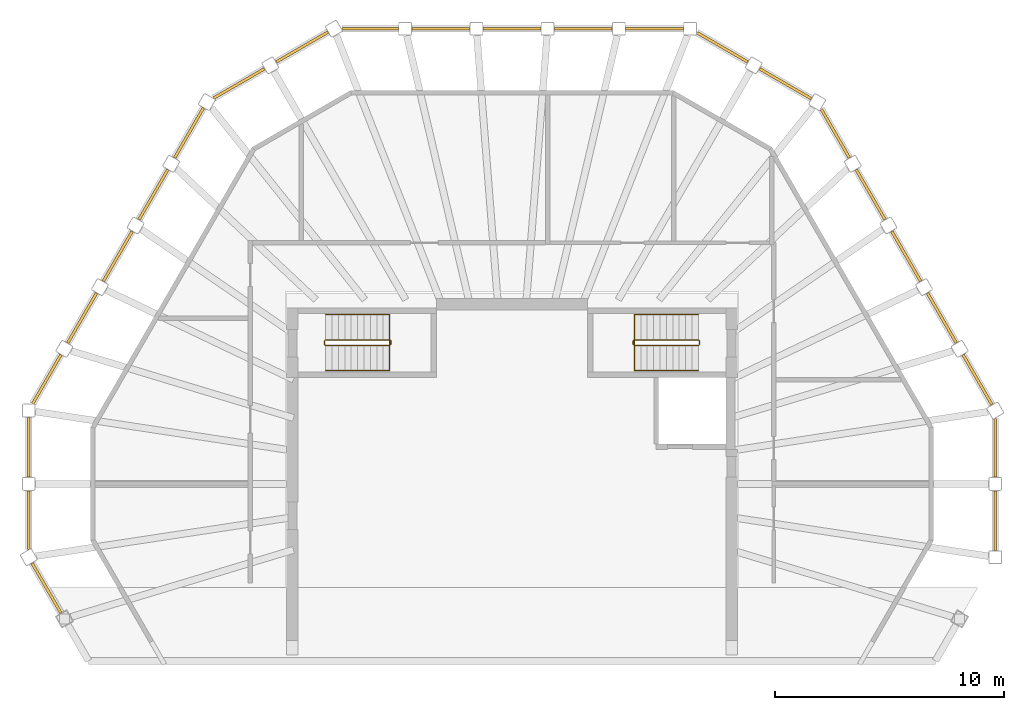
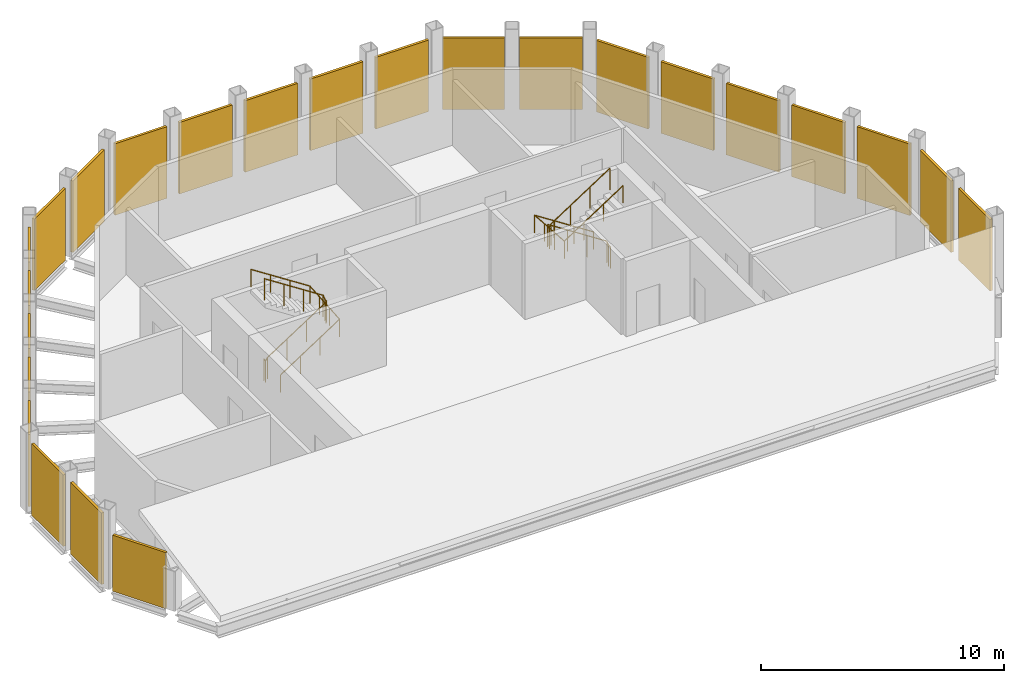
# One storey, part 4 of 4: 24 coverings, 4 railings.
"""IFC4 building model written with IfcOpenShell, lengths in metres."""

from ifc_helpers import new_model, si_unit, direction, frame, origin, origin_2d, place, context, subcontext, project, spatial, polyline, circle, outline, extrude, material, layer, layer_set, type_object, element, save


model = new_model("IFC4")

# Units and contexts
model_context = context("Model", 3, precision=1e-05, world=origin(), true_north=direction((0.0, 1.0)))
body_context = subcontext(model_context, "Body", "Model", "MODEL_VIEW")
ifc_project = project(units=[si_unit("LENGTHUNIT", "METRE"), si_unit("AREAUNIT", "SQUARE_METRE"), si_unit("VOLUMEUNIT", "CUBIC_METRE"), si_unit("PLANEANGLEUNIT", "RADIAN"), si_unit("MASSUNIT", "GRAM", prefix="KILO")], contexts=[model_context])

# Site, building, storey
site_placement = place(None, origin())
site = spatial("IfcSite", under=ifc_project, at=site_placement, CompositionType="ELEMENT")
building_placement = place(site_placement, origin())
building = spatial("IfcBuilding", under=site, at=building_placement, Name="Frailejon Research Tower", CompositionType="ELEMENT")
storey_placement = place(building_placement, frame((0.0, 0.0, 360.60009765625)))
storey = spatial("IfcBuildingStorey", under=building, at=storey_placement, Name="L81", CompositionType="ELEMENT", Elevation=360.60009765625)

# Coverings
ifc_material_1 = material(Name="Anodised aluminium louvres", Category="aluminium")
ifc_layer = layer(ifc_material_1, 0.1201171875)
ifc_layer_set = layer_set([ifc_layer], Name="Crown louvre screen 120")
covering_type = type_object("IfcCoveringType", Name="Crown louvre screen 120", PredefinedType="CLADDING", material=ifc_layer_set)
covering_1_placement = place(storey_placement, frame((21.12744140625, -0.300048828125, -0.2001953125), z_axis=(0.0, -1.0, 0.0), x_axis=(1.0, 0.0, 0.0)))
element("IfcCovering", 1, at=covering_1_placement, inside=storey, type_object=covering_type, Name="Crown louvre screen L81", PredefinedType="CLADDING", context=body_context, shape_type="SweptSolid", body=[
    extrude(outline(polyline([(-0.06005859375, 0.0), (0.06005859375, 0.0), (0.06005859375, 3.60009765625), (-0.06005859375, 3.60009765625), (-0.06005859375, 0.0)])), origin(), (0.0, 0.0, 1.0), 2.606201171875),
])
covering_2_placement = place(storey_placement, frame((21.12744140625, 2.859619140625, -0.2001953125), z_axis=(0.0, -1.0, 0.0), x_axis=(1.0, 0.0, 0.0)))
element("IfcCovering", 2, at=covering_2_placement, inside=storey, type_object=covering_type, Name="Crown louvre screen L81", PredefinedType="CLADDING", context=body_context, shape_type="SweptSolid", body=[
    extrude(outline(polyline([(-0.06005859375, 0.0), (0.06005859375, 0.0), (0.06005859375, 3.60009765625), (-0.06005859375, 3.60009765625), (-0.06005859375, 0.0)])), origin(), (0.0, 0.0, 1.0), 2.559814453125),
])
for number, where, z_axis, x_axis, name in (
    (3, (19.72021484375, 5.643798828125, -0.2001953125), (0.499996674019, -0.866027324032, 0.0), (0.866027324032, 0.499996674019, 0.0), "Crown louvre screen L81"),
    (4, (18.16259765625, 8.34130859375, -0.2001953125), (0.500009278777, -0.866020046614, 0.0), (0.866020046614, 0.500009278777, 0.0), "Crown louvre screen L81"),
    (5, (16.605224609375, 11.0390625, -0.2001953125), (0.499979456235, -0.866037264408, 0.0), (0.866037264408, 0.499979456235, 0.0), "Crown louvre screen L81"),
    (6, (15.047607421875, 13.736572265625, -0.2001953125), (0.500009278777, -0.866020046614, 0.0), (0.866020046614, 0.500009278777, 0.0), "Crown louvre screen L81"),
):
    element("IfcCovering", number, at=place(storey_placement, frame(where, z_axis=z_axis, x_axis=x_axis)), inside=storey, type_object=covering_type, Name=name, PredefinedType="CLADDING", context=body_context, shape_type="SweptSolid", body=[
        extrude(outline(polyline([(-0.06005859375, 0.0), (0.06005859375, 0.0), (0.06005859375, 3.60009765625), (-0.06005859375, 3.60009765625), (-0.06005859375, 0.0)])), origin(), (0.0, 0.0, 1.0), 2.514892578125),
    ])
covering_3_placement = place(storey_placement, frame((13.513427734375, 16.393798828125, -0.2001953125), z_axis=(0.499999492034, -0.866025697059, 0.0), x_axis=(0.866025697059, 0.499999492034, 0.0)))
element("IfcCovering", 7, at=covering_3_placement, inside=storey, type_object=covering_type, Name="Crown louvre screen L81", PredefinedType="CLADDING", context=body_context, shape_type="SweptSolid", body=[
    extrude(outline(polyline([(-0.06005859375, 0.0), (0.06005859375, 0.0), (0.06005859375, 3.60009765625), (-0.06005859375, 3.60009765625), (-0.06005859375, 0.0)])), origin(), (0.0, 0.0, 1.0), 2.468505859375),
])
covering_4_placement = place(storey_placement, frame((10.823486328125, 18.14697265625, -0.2001953125), z_axis=(0.866012414126, -0.500022498073, 0.0), x_axis=(0.500022498073, 0.866012414126, 0.0)))
element("IfcCovering", 8, at=covering_4_placement, inside=storey, type_object=covering_type, Name="Crown louvre screen L81", PredefinedType="CLADDING", context=body_context, shape_type="SweptSolid", body=[
    extrude(outline(polyline([(-0.06005859375, 0.0), (0.06005859375, 0.0), (0.06005859375, 3.60009765625), (-0.06005859375, 3.60009765625), (-0.06005859375, 0.0)])), origin(), (0.0, 0.0, 1.0), 2.606201171875),
])
covering_5_placement = place(storey_placement, frame((8.087158203125, 19.726806640625, -0.2001953125), z_axis=(0.866037258145, -0.499979467084, 0.0), x_axis=(0.499979467084, 0.866037258145, 0.0)))
element("IfcCovering", 9, at=covering_5_placement, inside=storey, type_object=covering_type, Name="Crown louvre screen L81", PredefinedType="CLADDING", context=body_context, shape_type="SweptSolid", body=[
    extrude(outline(polyline([(-0.06005859375, 0.0), (0.06005859375, 0.0), (0.06005859375, 3.60009765625), (-0.06005859375, 3.60009765625), (-0.06005859375, 0.0)])), origin(), (0.0, 0.0, 1.0), 2.559814453125),
])
for number, where, z_axis, x_axis, name in (
    (10, (4.972412109375, 19.89990234375, -0.2001953125), (1.0, 0.0, 0.0), (0.0, 1.0, 0.0), "Crown louvre screen L81"),
    (11, (1.857421875, 19.89990234375, -0.2001953125), (1.0, 0.0, 0.0), (0.0, 1.0, 0.0), "Crown louvre screen L81"),
    (12, (-1.25732421875, 19.89990234375, -0.2001953125), (1.0, 0.0, 0.0), (0.0, 1.0, 0.0), "Crown louvre screen L81"),
    (13, (-4.372314453125, 19.89990234375, -0.2001953125), (1.0, 0.0, 0.0), (0.0, 1.0, 0.0), "Crown louvre screen L81"),
):
    element("IfcCovering", number, at=place(storey_placement, frame(where, z_axis=z_axis, x_axis=x_axis)), inside=storey, type_object=covering_type, Name=name, PredefinedType="CLADDING", context=body_context, shape_type="SweptSolid", body=[
        extrude(outline(polyline([(-0.06005859375, 0.0), (0.06005859375, 0.0), (0.06005859375, 3.60009765625), (-0.06005859375, 3.60009765625), (-0.06005859375, 0.0)])), origin(), (0.0, 0.0, 1.0), 2.514892578125),
    ])
covering_6_placement = place(storey_placement, frame((-7.44091796875, 19.89990234375, -0.2001953125), z_axis=(1.0, 0.0, 0.0), x_axis=(0.0, 1.0, 0.0)))
element("IfcCovering", 14, at=covering_6_placement, inside=storey, type_object=covering_type, Name="Crown louvre screen L81", PredefinedType="CLADDING", context=body_context, shape_type="SweptSolid", body=[
    extrude(outline(polyline([(-0.06005859375, 0.0), (0.06005859375, 0.0), (0.06005859375, 3.60009765625), (-0.06005859375, 3.60009765625), (-0.06005859375, 0.0)])), origin(), (0.0, 0.0, 1.0), 2.468505859375),
])
covering_7_placement = place(storey_placement, frame((-10.303955078125, 18.447021484375, -0.2001953125), z_axis=(0.866038622295, 0.49997710417, 0.0), x_axis=(-0.49997710417, 0.866038622295, 0.0)))
element("IfcCovering", 15, at=covering_7_placement, inside=storey, type_object=covering_type, Name="Crown louvre screen L81", PredefinedType="CLADDING", context=body_context, shape_type="SweptSolid", body=[
    extrude(outline(polyline([(-0.06005859375, 0.0), (0.06005859375, 0.0), (0.06005859375, 3.60009765625), (-0.06005859375, 3.60009765625), (-0.06005859375, 0.0)])), origin(), (0.0, 0.0, 1.0), 2.606201171875),
])
covering_8_placement = place(storey_placement, frame((-13.040283203125, 16.8671875, -0.2001953125), z_axis=(0.866010574459, 0.500025684265, 0.0), x_axis=(-0.500025684265, 0.866010574459, 0.0)))
element("IfcCovering", 16, at=covering_8_placement, inside=storey, type_object=covering_type, Name="Crown louvre screen L81", PredefinedType="CLADDING", context=body_context, shape_type="SweptSolid", body=[
    extrude(outline(polyline([(-0.06005859375, 0.0), (0.06005859375, 0.0), (0.06005859375, 3.60009765625), (-0.06005859375, 3.60009765625), (-0.06005859375, 0.0)])), origin(), (0.0, 0.0, 1.0), 2.559814453125),
])
for number, where, z_axis, x_axis, name in (
    (17, (-14.747802734375, 14.256103515625, -0.2001953125), (0.499996674019, 0.866027324032, 0.0), (-0.866027324032, 0.499996674019, 0.0), "Crown louvre screen L81"),
    (18, (-16.30517578125, 11.55859375, -0.2001953125), (0.500009278777, 0.866020046614, 0.0), (-0.866020046614, 0.500009278777, 0.0), "Crown louvre screen L81"),
    (19, (-17.862548828125, 8.861083984375, -0.2001953125), (0.499979456235, 0.866037264408, 0.0), (-0.866037264408, 0.499979456235, 0.0), "Crown louvre screen L81"),
    (20, (-19.420166015625, 6.163330078125, -0.2001953125), (0.500009278777, 0.866020046614, 0.0), (-0.866020046614, 0.500009278777, 0.0), "Crown louvre screen L81"),
):
    element("IfcCovering", number, at=place(storey_placement, frame(where, z_axis=z_axis, x_axis=x_axis)), inside=storey, type_object=covering_type, Name=name, PredefinedType="CLADDING", context=body_context, shape_type="SweptSolid", body=[
        extrude(outline(polyline([(-0.06005859375, 0.0), (0.06005859375, 0.0), (0.06005859375, 3.60009765625), (-0.06005859375, 3.60009765625), (-0.06005859375, 0.0)])), origin(), (0.0, 0.0, 1.0), 2.514892578125),
    ])
covering_9_placement = place(storey_placement, frame((-20.954345703125, 3.506103515625, -0.2001953125), z_axis=(0.499999492034, 0.866025697059, 0.0), x_axis=(-0.866025697059, 0.499999492034, 0.0)))
element("IfcCovering", 21, at=covering_9_placement, inside=storey, type_object=covering_type, Name="Crown louvre screen L81", PredefinedType="CLADDING", context=body_context, shape_type="SweptSolid", body=[
    extrude(outline(polyline([(-0.06005859375, 0.0), (0.06005859375, 0.0), (0.06005859375, 3.60009765625), (-0.06005859375, 3.60009765625), (-0.06005859375, 0.0)])), origin(), (0.0, 0.0, 1.0), 2.468505859375),
])
covering_10_placement = place(storey_placement, frame((-21.12744140625, 0.300048828125, -0.2001953125), z_axis=(0.0, 1.0, 0.0), x_axis=(-1.0, 0.0, 0.0)))
element("IfcCovering", 22, at=covering_10_placement, inside=storey, type_object=covering_type, Name="Crown louvre screen L81", PredefinedType="CLADDING", context=body_context, shape_type="SweptSolid", body=[
    extrude(outline(polyline([(-0.06005859375, 0.0), (0.06005859375, 0.0), (0.06005859375, 3.60009765625), (-0.06005859375, 3.60009765625), (-0.06005859375, 0.0)])), origin(), (0.0, 0.0, 1.0), 2.606201171875),
])
covering_11_placement = place(storey_placement, frame((-21.12744140625, -2.859619140625, -0.2001953125), z_axis=(0.0, 1.0, 0.0), x_axis=(-1.0, 0.0, 0.0)))
element("IfcCovering", 23, at=covering_11_placement, inside=storey, type_object=covering_type, Name="Crown louvre screen L81", PredefinedType="CLADDING", context=body_context, shape_type="SweptSolid", body=[
    extrude(outline(polyline([(-0.06005859375, 0.0), (0.06005859375, 0.0), (0.06005859375, 3.60009765625), (-0.06005859375, 3.60009765625), (-0.06005859375, 0.0)])), origin(), (0.0, 0.0, 1.0), 2.559814453125),
])
covering_12_placement = place(storey_placement, frame((-19.72021484375, -5.643798828125, -0.2001953125), z_axis=(-0.499996674019, 0.866027324032, 0.0), x_axis=(-0.866027324032, -0.499996674019, 0.0)))
element("IfcCovering", 24, at=covering_12_placement, inside=storey, type_object=covering_type, Name="Crown louvre screen L81", PredefinedType="CLADDING", context=body_context, shape_type="SweptSolid", body=[
    extrude(outline(polyline([(-0.06005859375, 0.0), (0.06005859375, 0.0), (0.06005859375, 2.822998046875), (-0.06005859375, 2.822998046875), (-0.06005859375, 0.0)])), origin(), (0.0, 0.0, 1.0), 2.514892578125),
])

# Railings
ifc_material_2 = material(Name="Stainless steel", Category="steel")
railing_type_1 = type_object("IfcRailingType", Name="Stair guard 1100", PredefinedType="GUARDRAIL", material=ifc_material_2)
railing_1_placement = place(storey_placement, frame((-8.199951171875, 6.25, 0.0)))
element("IfcRailing", 25, at=railing_1_placement, inside=storey, type_object=railing_type_1, Name="L81 ST1 stair guard 1", PredefinedType="GUARDRAIL", context=body_context, shape_type="SweptSolid", body=[
    extrude(circle(Radius=0.02392578125, at=origin_2d()), frame((0.0, 0.0, 1.076171875), z_axis=(0.0, -1.0, 0.0), x_axis=(1.0, 0.0, 0.0)), (0.0, 0.0, 1.0), 0.14990234375),
    extrude(circle(Radius=0.02392578125, at=origin_2d()), frame((0.0, -0.14990234375, 1.076171875), z_axis=(0.256734642926, -0.256734642926, 0.931758899203), x_axis=(0.707106781187, 0.707106781187, 0.0)), (0.0, 0.0, 1.0), 0.19482421875),
    extrude(circle(Radius=0.02392578125, at=origin_2d()), frame((0.050048828125, -0.199951171875, 1.2578125), z_axis=(0.838650734948, 0.0, 0.544669573936), x_axis=(0.0, 1.0, 0.0)), (0.0, 0.0, 1.0), 3.33837890625),
    extrude(circle(Radius=0.02392578125, at=origin_2d()), frame((2.849853515625, -0.199951171875, 3.076171875), z_axis=(0.707106781187, 0.707106781187, 0.0), x_axis=(-0.707106781187, 0.707106781187, 0.0)), (0.0, 0.0, 1.0), 0.07080078125),
    extrude(circle(Radius=0.02392578125, at=origin_2d()), frame((2.89990234375, -0.14990234375, 3.076171875), z_axis=(0.0, 1.0, 0.0), x_axis=(-1.0, 0.0, 0.0)), (0.0, 0.0, 1.0), 0.14990234375),
    extrude(circle(Radius=0.02392578125, at=origin_2d()), frame((2.89990234375, 0.0, 3.076171875), z_axis=(-0.256734642926, 0.256734642926, 0.931758899203), x_axis=(-0.707106781187, -0.707106781187, 0.0)), (0.0, 0.0, 1.0), 0.19482421875),
    extrude(circle(Radius=0.02392578125, at=origin_2d()), frame((2.849853515625, 0.050048828125, 3.2578125), z_axis=(-0.838650734948, 0.0, 0.544669573936), x_axis=(0.0, -1.0, 0.0)), (0.0, 0.0, 1.0), 3.33837890625),
    extrude(circle(Radius=0.02099609375, at=origin_2d()), origin(), (0.0, 0.0, 1.0), 1.052001953125),
    extrude(circle(Radius=0.02099609375, at=origin_2d()), frame((0.0, -0.14990234375, 0.0)), (0.0, 0.0, 1.0), 1.052001953125),
    extrude(circle(Radius=0.02099609375, at=origin_2d()), frame((0.050048828125, -0.199951171875, 0.181640625)), (0.0, 0.0, 1.0), 1.052001953125),
    extrude(circle(Radius=0.02099609375, at=origin_2d()), frame((0.9833984375, -0.199951171875, 0.787841796875)), (0.0, 0.0, 1.0), 1.052001953125),
    extrude(circle(Radius=0.02099609375, at=origin_2d()), frame((1.91650390625, -0.199951171875, 1.393798828125)), (0.0, 0.0, 1.0), 1.052001953125),
    extrude(circle(Radius=0.02099609375, at=origin_2d()), frame((2.849853515625, -0.199951171875, 2.0)), (0.0, 0.0, 1.0), 1.052001953125),
    extrude(circle(Radius=0.02099609375, at=origin_2d()), frame((2.89990234375, -0.14990234375, 2.0)), (0.0, 0.0, 1.0), 1.052001953125),
    extrude(circle(Radius=0.02099609375, at=origin_2d()), frame((2.89990234375, 0.0, 2.0)), (0.0, 0.0, 1.0), 1.052001953125),
    extrude(circle(Radius=0.02099609375, at=origin_2d()), frame((2.849853515625, 0.050048828125, 2.181640625)), (0.0, 0.0, 1.0), 1.052001953125),
    extrude(circle(Radius=0.02099609375, at=origin_2d()), frame((1.91650390625, 0.050048828125, 2.787841796875)), (0.0, 0.0, 1.0), 1.052001953125),
    extrude(circle(Radius=0.02099609375, at=origin_2d()), frame((0.9833984375, 0.050048828125, 3.393798828125)), (0.0, 0.0, 1.0), 1.052001953125),
    extrude(circle(Radius=0.02099609375, at=origin_2d()), frame((0.050048828125, 0.050048828125, 4.0)), (0.0, 0.0, 1.0), 1.052001953125),
])
railing_2_placement = place(storey_placement, frame((8.199951171875, 6.10009765625, 0.0)))
element("IfcRailing", 26, at=railing_2_placement, inside=storey, type_object=railing_type_1, Name="L81 ST3 stair guard 1", PredefinedType="GUARDRAIL", context=body_context, shape_type="SweptSolid", body=[
    extrude(circle(Radius=0.02392578125, at=origin_2d()), frame((0.0, 0.0, 1.076171875), z_axis=(0.0, 1.0, 0.0), x_axis=(-1.0, 0.0, 0.0)), (0.0, 0.0, 1.0), 0.14990234375),
    extrude(circle(Radius=0.02392578125, at=origin_2d()), frame((0.0, 0.14990234375, 1.076171875), z_axis=(-0.256734642926, 0.256734642926, 0.931758899203), x_axis=(-0.707106781187, -0.707106781187, 0.0)), (0.0, 0.0, 1.0), 0.19482421875),
    extrude(circle(Radius=0.02392578125, at=origin_2d()), frame((-0.050048828125, 0.199951171875, 1.2578125), z_axis=(-0.838650734948, 0.0, 0.544669573936), x_axis=(0.0, -1.0, 0.0)), (0.0, 0.0, 1.0), 3.33837890625),
    extrude(circle(Radius=0.02392578125, at=origin_2d()), frame((-2.849853515625, 0.199951171875, 3.076171875), z_axis=(-0.707106781187, -0.707106781187, 0.0), x_axis=(0.707106781187, -0.707106781187, 0.0)), (0.0, 0.0, 1.0), 0.07080078125),
    extrude(circle(Radius=0.02392578125, at=origin_2d()), frame((-2.89990234375, 0.14990234375, 3.076171875), z_axis=(0.0, -1.0, 0.0), x_axis=(1.0, 0.0, 0.0)), (0.0, 0.0, 1.0), 0.14990234375),
    extrude(circle(Radius=0.02392578125, at=origin_2d()), frame((-2.89990234375, 0.0, 3.076171875), z_axis=(0.256734642926, -0.256734642926, 0.931758899203), x_axis=(0.707106781187, 0.707106781187, 0.0)), (0.0, 0.0, 1.0), 0.19482421875),
    extrude(circle(Radius=0.02392578125, at=origin_2d()), frame((-2.849853515625, -0.050048828125, 3.2578125), z_axis=(0.838650734948, 0.0, 0.544669573936), x_axis=(0.0, 1.0, 0.0)), (0.0, 0.0, 1.0), 3.33837890625),
    extrude(circle(Radius=0.02099609375, at=origin_2d()), origin(), (0.0, 0.0, 1.0), 1.052001953125),
    extrude(circle(Radius=0.02099609375, at=origin_2d()), frame((0.0, 0.14990234375, 0.0)), (0.0, 0.0, 1.0), 1.052001953125),
    extrude(circle(Radius=0.02099609375, at=origin_2d()), frame((-0.050048828125, 0.199951171875, 0.181640625)), (0.0, 0.0, 1.0), 1.052001953125),
    extrude(circle(Radius=0.02099609375, at=origin_2d()), frame((-0.9833984375, 0.199951171875, 0.787841796875)), (0.0, 0.0, 1.0), 1.052001953125),
    extrude(circle(Radius=0.02099609375, at=origin_2d()), frame((-1.91650390625, 0.199951171875, 1.393798828125)), (0.0, 0.0, 1.0), 1.052001953125),
    extrude(circle(Radius=0.02099609375, at=origin_2d()), frame((-2.849853515625, 0.199951171875, 2.0)), (0.0, 0.0, 1.0), 1.052001953125),
    extrude(circle(Radius=0.02099609375, at=origin_2d()), frame((-2.89990234375, 0.14990234375, 2.0)), (0.0, 0.0, 1.0), 1.052001953125),
    extrude(circle(Radius=0.02099609375, at=origin_2d()), frame((-2.89990234375, 0.0, 2.0)), (0.0, 0.0, 1.0), 1.052001953125),
    extrude(circle(Radius=0.02099609375, at=origin_2d()), frame((-2.849853515625, -0.050048828125, 2.181640625)), (0.0, 0.0, 1.0), 1.052001953125),
    extrude(circle(Radius=0.02099609375, at=origin_2d()), frame((-1.91650390625, -0.050048828125, 2.787841796875)), (0.0, 0.0, 1.0), 1.052001953125),
    extrude(circle(Radius=0.02099609375, at=origin_2d()), frame((-0.9833984375, -0.050048828125, 3.393798828125)), (0.0, 0.0, 1.0), 1.052001953125),
    extrude(circle(Radius=0.02099609375, at=origin_2d()), frame((-0.050048828125, -0.050048828125, 4.0)), (0.0, 0.0, 1.0), 1.052001953125),
])
ifc_material_3 = material(Name="Stainless steel", Category="steel")
railing_type_2 = type_object("IfcRailingType", Name="Stair handrail 900", PredefinedType="HANDRAIL", material=ifc_material_3)
railing_3_placement = place(storey_placement, frame((-8.14990234375, 4.949951171875, 0.181640625)))
element("IfcRailing", 27, at=railing_3_placement, inside=storey, type_object=railing_type_2, Name="L81 ST1 stair handrail 1", PredefinedType="HANDRAIL", context=body_context, shape_type="SweptSolid", body=[
    extrude(circle(Radius=0.02392578125, at=origin_2d()), frame((0.0, 0.0, 0.8759765625), z_axis=(0.838650734948, 0.0, 0.544669573936), x_axis=(0.0, 1.0, 0.0)), (0.0, 0.0, 1.0), 3.33837890625),
    extrude(circle(Radius=0.02392578125, at=origin_2d()), frame((2.7998046875, 0.0, 2.6943359375), z_axis=(0.0, 0.997262871482, 0.073937576122), x_axis=(-1.0, 0.0, 0.0)), (0.0, 0.0, 1.0), 2.456787109375),
    extrude(circle(Radius=0.02392578125, at=origin_2d()), frame((2.7998046875, 2.449951171875, 2.8759765625), z_axis=(-0.838650734948, 0.0, 0.544669573936), x_axis=(0.0, -1.0, 0.0)), (0.0, 0.0, 1.0), 3.33837890625),
    extrude(circle(Radius=0.02099609375, at=origin_2d()), origin(), (0.0, 0.0, 1.0), 0.851806640625),
    extrude(circle(Radius=0.02099609375, at=origin_2d()), frame((0.933349609375, 0.0, 0.606201171875)), (0.0, 0.0, 1.0), 0.851806640625),
    extrude(circle(Radius=0.02099609375, at=origin_2d()), frame((1.866455078125, 0.0, 1.212158203125)), (0.0, 0.0, 1.0), 0.851806640625),
    extrude(circle(Radius=0.02099609375, at=origin_2d()), frame((2.7998046875, 0.0, 1.818359375)), (0.0, 0.0, 1.0), 0.851806640625),
    extrude(circle(Radius=0.02099609375, at=origin_2d()), frame((2.7998046875, 0.816650390625, 1.87890625)), (0.0, 0.0, 1.0), 0.851806640625),
    extrude(circle(Radius=0.02099609375, at=origin_2d()), frame((2.7998046875, 1.63330078125, 1.939453125)), (0.0, 0.0, 1.0), 0.851806640625),
    extrude(circle(Radius=0.02099609375, at=origin_2d()), frame((2.7998046875, 2.449951171875, 2.0)), (0.0, 0.0, 1.0), 0.851806640625),
    extrude(circle(Radius=0.02099609375, at=origin_2d()), frame((1.866455078125, 2.449951171875, 2.606201171875)), (0.0, 0.0, 1.0), 0.851806640625),
    extrude(circle(Radius=0.02099609375, at=origin_2d()), frame((0.933349609375, 2.449951171875, 3.212158203125)), (0.0, 0.0, 1.0), 0.851806640625),
    extrude(circle(Radius=0.02099609375, at=origin_2d()), frame((0.0, 2.449951171875, 3.818359375)), (0.0, 0.0, 1.0), 0.851806640625),
])
railing_4_placement = place(storey_placement, frame((8.14990234375, 7.39990234375, 0.181640625)))
element("IfcRailing", 28, at=railing_4_placement, inside=storey, type_object=railing_type_2, Name="L81 ST3 stair handrail 1", PredefinedType="HANDRAIL", context=body_context, shape_type="SweptSolid", body=[
    extrude(circle(Radius=0.02392578125, at=origin_2d()), frame((0.0, 0.0, 0.8759765625), z_axis=(-0.838650734948, 0.0, 0.544669573936), x_axis=(0.0, -1.0, 0.0)), (0.0, 0.0, 1.0), 3.33837890625),
    extrude(circle(Radius=0.02392578125, at=origin_2d()), frame((-2.7998046875, 0.0, 2.6943359375), z_axis=(0.0, -0.997262871482, 0.073937576122), x_axis=(1.0, 0.0, 0.0)), (0.0, 0.0, 1.0), 2.456787109375),
    extrude(circle(Radius=0.02392578125, at=origin_2d()), frame((-2.7998046875, -2.449951171875, 2.8759765625), z_axis=(0.838650734948, 0.0, 0.544669573936), x_axis=(0.0, 1.0, 0.0)), (0.0, 0.0, 1.0), 3.33837890625),
    extrude(circle(Radius=0.02099609375, at=origin_2d()), origin(), (0.0, 0.0, 1.0), 0.851806640625),
    extrude(circle(Radius=0.02099609375, at=origin_2d()), frame((-0.933349609375, 0.0, 0.606201171875)), (0.0, 0.0, 1.0), 0.851806640625),
    extrude(circle(Radius=0.02099609375, at=origin_2d()), frame((-1.866455078125, 0.0, 1.212158203125)), (0.0, 0.0, 1.0), 0.851806640625),
    extrude(circle(Radius=0.02099609375, at=origin_2d()), frame((-2.7998046875, 0.0, 1.818359375)), (0.0, 0.0, 1.0), 0.851806640625),
    extrude(circle(Radius=0.02099609375, at=origin_2d()), frame((-2.7998046875, -0.816650390625, 1.87890625)), (0.0, 0.0, 1.0), 0.851806640625),
    extrude(circle(Radius=0.02099609375, at=origin_2d()), frame((-2.7998046875, -1.63330078125, 1.939453125)), (0.0, 0.0, 1.0), 0.851806640625),
    extrude(circle(Radius=0.02099609375, at=origin_2d()), frame((-2.7998046875, -2.449951171875, 2.0)), (0.0, 0.0, 1.0), 0.851806640625),
    extrude(circle(Radius=0.02099609375, at=origin_2d()), frame((-1.866455078125, -2.449951171875, 2.606201171875)), (0.0, 0.0, 1.0), 0.851806640625),
    extrude(circle(Radius=0.02099609375, at=origin_2d()), frame((-0.933349609375, -2.449951171875, 3.212158203125)), (0.0, 0.0, 1.0), 0.851806640625),
    extrude(circle(Radius=0.02099609375, at=origin_2d()), frame((0.0, -2.449951171875, 3.818359375)), (0.0, 0.0, 1.0), 0.851806640625),
])

save(model, "model.ifc")
